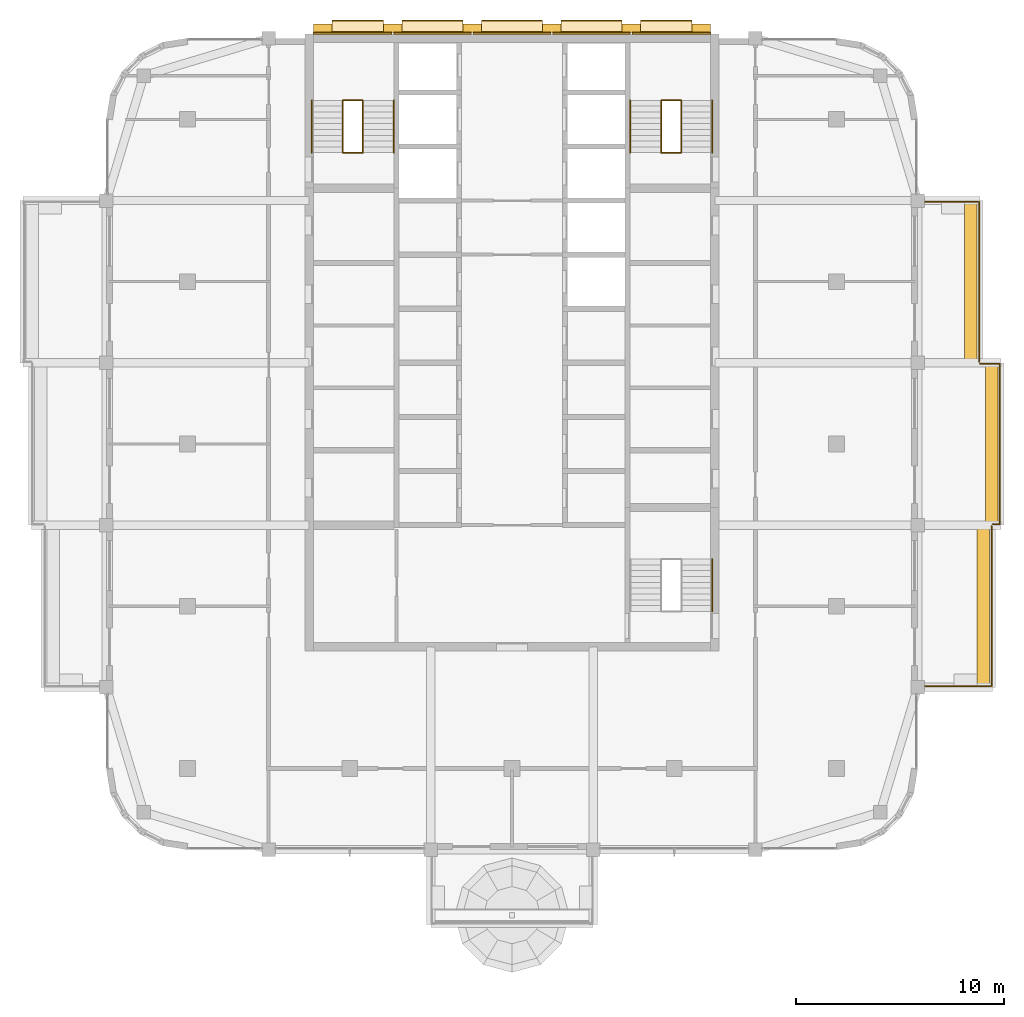
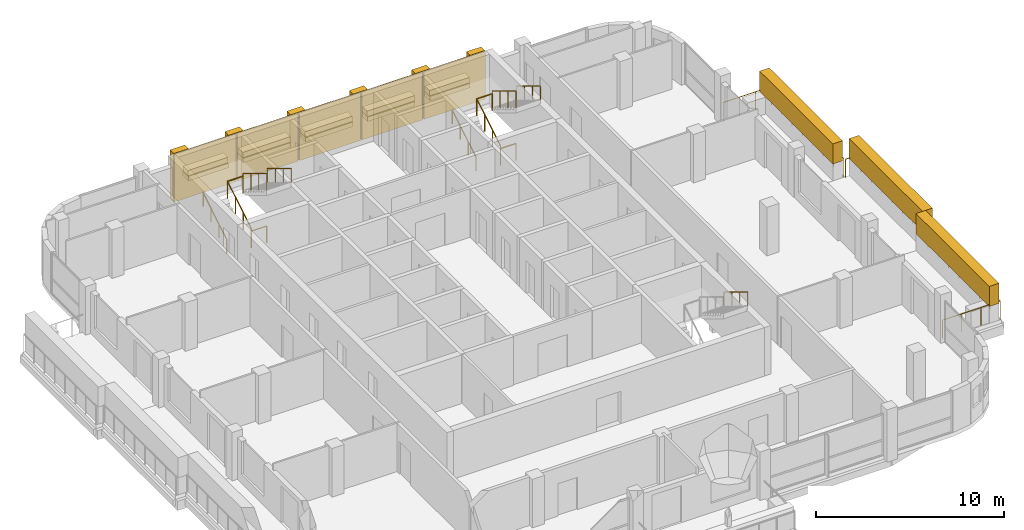
# One storey, part 18 of 19: 24 coverings, 16 railings, 3 elements without a shape of their own.
"""IFC4 building model written with IfcOpenShell, lengths in metres."""

from ifc_helpers import new_model, si_unit, direction, frame, origin, origin_2d, place, context, subcontext, project, spatial, rectangle, circle, extrude, material, layer, layer_set, type_object, element, aggregate, save


model = new_model("IFC4")

# Units and contexts
model_context = context("Model", 3, precision=1e-05, world=origin(), true_north=direction((0.0, 1.0)))
body_context = subcontext(model_context, "Body", "Model", "MODEL_VIEW")
ifc_project = project(units=[si_unit("LENGTHUNIT", "METRE"), si_unit("AREAUNIT", "SQUARE_METRE"), si_unit("VOLUMEUNIT", "CUBIC_METRE"), si_unit("PLANEANGLEUNIT", "RADIAN"), si_unit("MASSUNIT", "GRAM", prefix="KILO")], contexts=[model_context])

# Site, building, storey
site_placement = place(None, origin())
site = spatial("IfcSite", under=ifc_project, at=site_placement, CompositionType="ELEMENT")
building_placement = place(site_placement, origin())
building = spatial("IfcBuilding", under=site, at=building_placement, Name="Ludao Terraces", CompositionType="ELEMENT")
storey_placement = place(building_placement, frame((0.0, 0.0, 256.199951171875)))
storey = spatial("IfcBuildingStorey", under=building, at=storey_placement, Name="L70", CompositionType="ELEMENT", Elevation=256.199951171875)

# Railings
ifc_material_1 = material(Name="Stainless steel 304", Category="steel")
railing_type_1 = type_object("IfcRailingType", Name="ENV Balcony glass guard 1200", PredefinedType="GUARDRAIL", material=ifc_material_1)
railing_1_placement = place(storey_placement, frame((104.5, 53.35009765625, 0.0)))
element("IfcRailing", 1, at=railing_1_placement, inside=storey, type_object=railing_type_1, Name="Balcony guard L70 E1", PredefinedType="GUARDRAIL", context=body_context, shape_type="SweptSolid", body=[
    extrude(circle(Radius=0.02392578125, at=origin_2d()), frame((0.0, 0.0, 1.17578125), z_axis=(1.0, 0.0, 0.0), x_axis=(0.0, 1.0, 0.0)), (0.0, 0.0, 1.0), 3.550048828125),
    extrude(circle(Radius=0.02392578125, at=origin_2d()), frame((3.550048828125, 0.0, 1.17578125), z_axis=(0.0, 1.0, 0.0), x_axis=(-1.0, 0.0, 0.0)), (0.0, 0.0, 1.0), 7.699951171875),
    extrude(circle(Radius=0.02099609375, at=origin_2d()), origin(), (0.0, 0.0, 1.0), 1.15185546875),
    extrude(circle(Radius=0.02099609375, at=origin_2d()), frame((1.183349609375, 0.0, 0.0)), (0.0, 0.0, 1.0), 1.15185546875),
    extrude(circle(Radius=0.02099609375, at=origin_2d()), frame((2.36669921875, 0.0, 0.0)), (0.0, 0.0, 1.0), 1.15185546875),
    extrude(circle(Radius=0.02099609375, at=origin_2d()), frame((3.550048828125, 0.0, 0.0)), (0.0, 0.0, 1.0), 1.15185546875),
    extrude(circle(Radius=0.02099609375, at=origin_2d()), frame((3.550048828125, 1.10009765625, 0.0)), (0.0, 0.0, 1.0), 1.15185546875),
    extrude(circle(Radius=0.02099609375, at=origin_2d()), frame((3.550048828125, 2.199951171875, 0.0)), (0.0, 0.0, 1.0), 1.15185546875),
    extrude(circle(Radius=0.02099609375, at=origin_2d()), frame((3.550048828125, 3.300048828125, 0.0)), (0.0, 0.0, 1.0), 1.15185546875),
    extrude(circle(Radius=0.02099609375, at=origin_2d()), frame((3.550048828125, 4.39990234375, 0.0)), (0.0, 0.0, 1.0), 1.15185546875),
    extrude(circle(Radius=0.02099609375, at=origin_2d()), frame((3.550048828125, 5.5, 0.0)), (0.0, 0.0, 1.0), 1.15185546875),
    extrude(circle(Radius=0.02099609375, at=origin_2d()), frame((3.550048828125, 6.599853515625, 0.0)), (0.0, 0.0, 1.0), 1.15185546875),
    extrude(circle(Radius=0.02099609375, at=origin_2d()), frame((3.550048828125, 7.699951171875, 0.0)), (0.0, 0.0, 1.0), 1.15185546875),
])
railing_2_placement = place(storey_placement, frame((108.10009765625, 61.14990234375, 0.0)))
element("IfcRailing", 2, at=railing_2_placement, inside=storey, type_object=railing_type_1, Name="Balcony guard L70 E2", PredefinedType="GUARDRAIL", context=body_context, shape_type="SweptSolid", body=[
    extrude(circle(Radius=0.02392578125, at=origin_2d()), frame((0.0, 0.0, 1.17578125), z_axis=(1.0, 0.0, 0.0), x_axis=(0.0, 1.0, 0.0)), (0.0, 0.0, 1.0), 0.349853515625),
    extrude(circle(Radius=0.02392578125, at=origin_2d()), frame((0.349853515625, 0.0, 1.17578125), z_axis=(0.0, 1.0, 0.0), x_axis=(-1.0, 0.0, 0.0)), (0.0, 0.0, 1.0), 7.7001953125),
    extrude(circle(Radius=0.02392578125, at=origin_2d()), frame((0.349853515625, 7.7001953125, 1.17578125), z_axis=(-1.0, 0.0, 0.0), x_axis=(0.0, -1.0, 0.0)), (0.0, 0.0, 1.0), 0.949951171875),
    extrude(circle(Radius=0.02099609375, at=origin_2d()), origin(), (0.0, 0.0, 1.0), 1.15185546875),
    extrude(circle(Radius=0.02099609375, at=origin_2d()), frame((0.349853515625, 0.0, 0.0)), (0.0, 0.0, 1.0), 1.15185546875),
    extrude(circle(Radius=0.02099609375, at=origin_2d()), frame((0.349853515625, 1.10009765625, 0.0)), (0.0, 0.0, 1.0), 1.15185546875),
    extrude(circle(Radius=0.02099609375, at=origin_2d()), frame((0.349853515625, 2.199951171875, 0.0)), (0.0, 0.0, 1.0), 1.15185546875),
    extrude(circle(Radius=0.02099609375, at=origin_2d()), frame((0.349853515625, 3.300048828125, 0.0)), (0.0, 0.0, 1.0), 1.15185546875),
    extrude(circle(Radius=0.02099609375, at=origin_2d()), frame((0.349853515625, 4.400146484375, 0.0)), (0.0, 0.0, 1.0), 1.15185546875),
    extrude(circle(Radius=0.02099609375, at=origin_2d()), frame((0.349853515625, 5.500244140625, 0.0)), (0.0, 0.0, 1.0), 1.15185546875),
    extrude(circle(Radius=0.02099609375, at=origin_2d()), frame((0.349853515625, 6.60009765625, 0.0)), (0.0, 0.0, 1.0), 1.15185546875),
    extrude(circle(Radius=0.02099609375, at=origin_2d()), frame((0.349853515625, 7.7001953125, 0.0)), (0.0, 0.0, 1.0), 1.15185546875),
    extrude(circle(Radius=0.02099609375, at=origin_2d()), frame((-0.60009765625, 7.7001953125, 0.0)), (0.0, 0.0, 1.0), 1.15185546875),
])
railing_3_placement = place(storey_placement, frame((107.449951171875, 68.949951171875, 0.0)))
element("IfcRailing", 3, at=railing_3_placement, inside=storey, type_object=railing_type_1, Name="Balcony guard L70 E3", PredefinedType="GUARDRAIL", context=body_context, shape_type="SweptSolid", body=[
    extrude(circle(Radius=0.02392578125, at=origin_2d()), frame((0.0, 0.0, 1.17578125), z_axis=(0.0, 1.0, 0.0), x_axis=(-1.0, 0.0, 0.0)), (0.0, 0.0, 1.0), 7.699951171875),
    extrude(circle(Radius=0.02392578125, at=origin_2d()), frame((0.0, 7.699951171875, 1.17578125), z_axis=(-1.0, 0.0, 0.0), x_axis=(0.0, -1.0, 0.0)), (0.0, 0.0, 1.0), 2.949951171875),
    extrude(circle(Radius=0.02099609375, at=origin_2d()), origin(), (0.0, 0.0, 1.0), 1.15185546875),
    extrude(circle(Radius=0.02099609375, at=origin_2d()), frame((0.0, 1.10009765625, 0.0)), (0.0, 0.0, 1.0), 1.15185546875),
    extrude(circle(Radius=0.02099609375, at=origin_2d()), frame((0.0, 2.199951171875, 0.0)), (0.0, 0.0, 1.0), 1.15185546875),
    extrude(circle(Radius=0.02099609375, at=origin_2d()), frame((0.0, 3.300048828125, 0.0)), (0.0, 0.0, 1.0), 1.15185546875),
    extrude(circle(Radius=0.02099609375, at=origin_2d()), frame((0.0, 4.39990234375, 0.0)), (0.0, 0.0, 1.0), 1.15185546875),
    extrude(circle(Radius=0.02099609375, at=origin_2d()), frame((0.0, 5.5, 0.0)), (0.0, 0.0, 1.0), 1.15185546875),
    extrude(circle(Radius=0.02099609375, at=origin_2d()), frame((0.0, 6.599853515625, 0.0)), (0.0, 0.0, 1.0), 1.15185546875),
    extrude(circle(Radius=0.02099609375, at=origin_2d()), frame((0.0, 7.699951171875, 0.0)), (0.0, 0.0, 1.0), 1.15185546875),
    extrude(circle(Radius=0.02099609375, at=origin_2d()), frame((-0.9833984375, 7.699951171875, 0.0)), (0.0, 0.0, 1.0), 1.15185546875),
    extrude(circle(Radius=0.02099609375, at=origin_2d()), frame((-1.966552734375, 7.699951171875, 0.0)), (0.0, 0.0, 1.0), 1.15185546875),
    extrude(circle(Radius=0.02099609375, at=origin_2d()), frame((-2.949951171875, 7.699951171875, 0.0)), (0.0, 0.0, 1.0), 1.15185546875),
])

# Coverings
ifc_material_2 = material(Name="Granite cladding", Category="masonry")
ifc_layer_1 = layer(ifc_material_2, 0.39990234375)
ifc_layer_set_1 = layer_set([ifc_layer_1], Name="ENV Core pilaster stone 400")
covering_type_1 = type_object("IfcCoveringType", Name="ENV Core pilaster stone 400", PredefinedType="CLADDING", material=ifc_layer_set_1)
for number, where, z_axis, x_axis, name in (
    (4, (75.89990234375, 84.97998046875, 0.0), (0.0, 0.0, 1.0), (1.0, 0.0, 0.0), "CC-L70-PIL1"),
    (5, (79.27001953125, 84.97998046875, 0.0), (0.0, 0.0, 1.0), (1.0, 0.0, 0.0), "CC-L70-PIL2"),
    (6, (83.090087890625, 84.97998046875, 0.0), (0.0, 0.0, 1.0), (1.0, 0.0, 0.0), "CC-L70-PIL3"),
    (7, (86.909912109375, 84.97998046875, 0.0), (0.0, 0.0, 1.0), (1.0, 0.0, 0.0), "CC-L70-PIL4"),
    (8, (90.72998046875, 84.97998046875, 0.0), (0.0, 0.0, 1.0), (1.0, 0.0, 0.0), "CC-L70-PIL5"),
    (9, (94.10009765625, 84.97998046875, 0.0), (0.0, 0.0, 1.0), (1.0, 0.0, 0.0), "CC-L70-PIL6"),
):
    element("IfcCovering", number, at=place(storey_placement, frame(where, z_axis=z_axis, x_axis=x_axis)), inside=storey, type_object=covering_type_1, Name=name, PredefinedType="CLADDING", context=body_context, shape_type="SweptSolid", body=[
        extrude(rectangle(XDim=0.89990234375, YDim=0.39990234375, at=origin_2d()), origin(), (0.0, 0.0, 1.0), 3.10009765625),
    ])
ifc_layer_2 = layer(ifc_material_2, 0.60009765625)
ifc_layer_set_2 = layer_set([ifc_layer_2], Name="ENV Core planting shelf stone 600")
covering_type_2 = type_object("IfcCoveringType", Name="ENV Core planting shelf stone 600", PredefinedType="CLADDING", material=ifc_layer_set_2)
covering_1_placement = place(storey_placement, frame((77.5849609375, 85.080078125, 1.0), z_axis=(0.0, 0.0, 1.0), x_axis=(1.0, 0.0, 0.0)))
element("IfcCovering", 10, at=covering_1_placement, inside=storey, type_object=covering_type_2, Name="CC-L70-SHELF1", PredefinedType="CLADDING", context=body_context, shape_type="SweptSolid", body=[
    extrude(rectangle(XDim=2.469970703125, YDim=0.60009765625, at=origin_2d()), origin(), (0.0, 0.0, 1.0), 0.300048828125),
])
for number, where, z_axis, x_axis, name in (
    (11, (81.179931640625, 85.080078125, 1.0), (0.0, 0.0, 1.0), (1.0, 0.0, 0.0), "CC-L70-SHELF2"),
    (12, (85.0, 85.080078125, 1.0), (0.0, 0.0, 1.0), (1.0, 0.0, 0.0), "CC-L70-SHELF3"),
    (13, (88.820068359375, 85.080078125, 1.0), (0.0, 0.0, 1.0), (1.0, 0.0, 0.0), "CC-L70-SHELF4"),
):
    element("IfcCovering", number, at=place(storey_placement, frame(where, z_axis=z_axis, x_axis=x_axis)), inside=storey, type_object=covering_type_2, Name=name, PredefinedType="CLADDING", context=body_context, shape_type="SweptSolid", body=[
        extrude(rectangle(XDim=2.919921875, YDim=0.60009765625, at=origin_2d()), origin(), (0.0, 0.0, 1.0), 0.300048828125),
    ])
covering_2_placement = place(storey_placement, frame((92.4150390625, 85.080078125, 1.0), z_axis=(0.0, 0.0, 1.0), x_axis=(1.0, 0.0, 0.0)))
element("IfcCovering", 14, at=covering_2_placement, inside=storey, type_object=covering_type_2, Name="CC-L70-SHELF5", PredefinedType="CLADDING", context=body_context, shape_type="SweptSolid", body=[
    extrude(rectangle(XDim=2.469970703125, YDim=0.60009765625, at=origin_2d()), origin(), (0.0, 0.0, 1.0), 0.300048828125),
])
ifc_layer_3 = layer(ifc_material_2, 0.080078125)
ifc_layer_set_3 = layer_set([ifc_layer_3], Name="ENV Core stone cladding panel 80")
covering_type_3 = type_object("IfcCoveringType", Name="ENV Core stone cladding panel 80", PredefinedType="CLADDING", material=ifc_layer_set_3)
covering_3_placement = place(storey_placement, frame((77.3349609375, 84.739990234375, 0.0), z_axis=(0.0, 0.0, 1.0), x_axis=(1.0, 0.0, 0.0)))
element("IfcCovering", 15, at=covering_3_placement, inside=storey, type_object=covering_type_3, Name="CC-L70-CORE1", PredefinedType="CLADDING", context=body_context, shape_type="SweptSolid", body=[
    extrude(rectangle(XDim=3.77001953125, YDim=0.080078125, at=origin_2d()), origin(), (0.0, 0.0, 1.0), 3.10009765625),
])
for number, where, z_axis, x_axis, name in (
    (16, (81.179931640625, 84.739990234375, 0.0), (0.0, 0.0, 1.0), (1.0, 0.0, 0.0), "CC-L70-CORE2"),
    (17, (85.0, 84.739990234375, 0.0), (0.0, 0.0, 1.0), (1.0, 0.0, 0.0), "CC-L70-CORE3"),
    (18, (88.820068359375, 84.739990234375, 0.0), (0.0, 0.0, 1.0), (1.0, 0.0, 0.0), "CC-L70-CORE4"),
):
    element("IfcCovering", number, at=place(storey_placement, frame(where, z_axis=z_axis, x_axis=x_axis)), inside=storey, type_object=covering_type_3, Name=name, PredefinedType="CLADDING", context=body_context, shape_type="SweptSolid", body=[
        extrude(rectangle(XDim=3.719970703125, YDim=0.080078125, at=origin_2d()), origin(), (0.0, 0.0, 1.0), 3.10009765625),
    ])
covering_4_placement = place(storey_placement, frame((92.6650390625, 84.739990234375, 0.0), z_axis=(0.0, 0.0, 1.0), x_axis=(1.0, 0.0, 0.0)))
element("IfcCovering", 19, at=covering_4_placement, inside=storey, type_object=covering_type_3, Name="CC-L70-CORE5", PredefinedType="CLADDING", context=body_context, shape_type="SweptSolid", body=[
    extrude(rectangle(XDim=3.77001953125, YDim=0.080078125, at=origin_2d()), origin(), (0.0, 0.0, 1.0), 3.10009765625),
])
ifc_material_3 = material(Name="Planting")
ifc_layer_4 = layer(ifc_material_3, 0.60009765625)
ifc_layer_set_4 = layer_set([ifc_layer_4], Name="ENV Planting hedge 600x1300")
covering_type_4 = type_object("IfcCoveringType", Name="ENV Planting hedge 600x1300", PredefinedType="USERDEFINED", material=ifc_layer_set_4)
for number, where, z_axis, x_axis, name in (
    (20, (107.64990234375, 57.199951171875, 1.10009765625), (0.0, 0.0, 1.0), (1.0, 0.0, 0.0), "Planting hedge L70-E1"),
    (21, (108.050048828125, 65.0, 1.10009765625), (0.0, 0.0, 1.0), (1.0, 0.0, 0.0), "Planting hedge L70-E2"),
    (22, (107.050048828125, 72.800048828125, 1.10009765625), (0.0, 0.0, 1.0), (1.0, 0.0, 0.0), "Planting hedge L70-E3"),
):
    element("IfcCovering", number, at=place(storey_placement, frame(where, z_axis=z_axis, x_axis=x_axis)), inside=storey, type_object=covering_type_4, Name=name, ObjectType="PLANTING", PredefinedType="USERDEFINED", context=body_context, shape_type="SweptSolid", body=[
        extrude(rectangle(XDim=0.60009765625, YDim=7.800048828125, at=origin_2d()), origin(), (0.0, 0.0, 1.0), 1.300048828125),
    ])
ifc_layer_5 = layer(ifc_material_3, 0.5)
ifc_layer_set_5 = layer_set([ifc_layer_5], Name="ENV Shelf planting bed 350")
covering_type_5 = type_object("IfcCoveringType", Name="ENV Shelf planting bed 350", PredefinedType="USERDEFINED", material=ifc_layer_set_5)
covering_5_placement = place(storey_placement, frame((77.5849609375, 85.080078125, 1.300048828125), z_axis=(0.0, 0.0, 1.0), x_axis=(1.0, 0.0, 0.0)))
element("IfcCovering", 23, at=covering_5_placement, inside=storey, type_object=covering_type_5, Name="Shelf planting bed L70 1", ObjectType="PLANTING", PredefinedType="USERDEFINED", context=body_context, shape_type="SweptSolid", body=[
    extrude(rectangle(XDim=2.469970703125, YDim=0.5, at=origin_2d()), origin(), (0.0, 0.0, 1.0), 0.35009765625),
])
for number, where, z_axis, x_axis, name in (
    (24, (81.179931640625, 85.080078125, 1.300048828125), (0.0, 0.0, 1.0), (1.0, 0.0, 0.0), "Shelf planting bed L70 2"),
    (25, (85.0, 85.080078125, 1.300048828125), (0.0, 0.0, 1.0), (1.0, 0.0, 0.0), "Shelf planting bed L70 3"),
    (26, (88.820068359375, 85.080078125, 1.300048828125), (0.0, 0.0, 1.0), (1.0, 0.0, 0.0), "Shelf planting bed L70 4"),
):
    element("IfcCovering", number, at=place(storey_placement, frame(where, z_axis=z_axis, x_axis=x_axis)), inside=storey, type_object=covering_type_5, Name=name, ObjectType="PLANTING", PredefinedType="USERDEFINED", context=body_context, shape_type="SweptSolid", body=[
        extrude(rectangle(XDim=2.919921875, YDim=0.5, at=origin_2d()), origin(), (0.0, 0.0, 1.0), 0.35009765625),
    ])
covering_6_placement = place(storey_placement, frame((92.4150390625, 85.080078125, 1.300048828125), z_axis=(0.0, 0.0, 1.0), x_axis=(1.0, 0.0, 0.0)))
element("IfcCovering", 27, at=covering_6_placement, inside=storey, type_object=covering_type_5, Name="Shelf planting bed L70 5", ObjectType="PLANTING", PredefinedType="USERDEFINED", context=body_context, shape_type="SweptSolid", body=[
    extrude(rectangle(XDim=2.469970703125, YDim=0.5, at=origin_2d()), origin(), (0.0, 0.0, 1.0), 0.35009765625),
])

# Stair, railings
ifc_material_4 = material(Name="Concrete C40", Category="concrete")
stair_type = type_object("IfcStairType", Name="INT Stair", PredefinedType="HALF_TURN_STAIR", material=ifc_material_4)
stair_1_placement = place(storey_placement, origin())
stair_1 = element("IfcStair", 28, at=stair_1_placement, inside=storey, type_object=stair_type, Name="EXIT STAIR 1", PredefinedType="HALF_TURN_STAIR")
railing_type_2 = type_object("IfcRailingType", Name="INT Stair guard 1100", PredefinedType="GUARDRAIL", material=ifc_material_1)
railing_4_placement = place(storey_placement, frame((76.875, 79.0, 0.170166015625)))
railing_4 = element("IfcRailing", 29, at=railing_4_placement, type_object=railing_type_2, Name="ST-L70-S1-R1G", PredefinedType="GUARDRAIL", context=body_context, shape_type="SweptSolid", body=[
    extrude(circle(Radius=0.02392578125, at=origin_2d()), frame((0.0, 0.0, 1.076171875), z_axis=(0.0, 0.854821627497, 0.518921945155), x_axis=(-1.0, 0.0, 0.0)), (0.0, 0.0, 1.0), 2.947998046875),
    extrude(circle(Radius=0.02099609375, at=origin_2d()), origin(), (0.0, 0.0, 1.0), 1.052001953125),
    extrude(circle(Radius=0.02099609375, at=origin_2d()), frame((0.0, 0.840087890625, 0.510009765625)), (0.0, 0.0, 1.0), 1.052001953125),
    extrude(circle(Radius=0.02099609375, at=origin_2d()), frame((0.0, 1.679931640625, 1.019775390625)), (0.0, 0.0, 1.0), 1.052001953125),
    extrude(circle(Radius=0.02099609375, at=origin_2d()), frame((0.0, 2.52001953125, 1.52978515625)), (0.0, 0.0, 1.0), 1.052001953125),
])
railing_5_placement = place(storey_placement, frame((77.824951171875, 81.52001953125, 1.8701171875)))
railing_5 = element("IfcRailing", 30, at=railing_5_placement, type_object=railing_type_2, Name="ST-L70-S1-R2G", PredefinedType="GUARDRAIL", context=body_context, shape_type="SweptSolid", body=[
    extrude(circle(Radius=0.02392578125, at=origin_2d()), frame((0.0, 0.0, 1.076171875), z_axis=(0.0, -0.85478489116, 0.518982456201), x_axis=(1.0, 0.0, 0.0)), (0.0, 0.0, 1.0), 2.9482421875),
    extrude(circle(Radius=0.02099609375, at=origin_2d()), origin(), (0.0, 0.0, 1.0), 1.052001953125),
    extrude(circle(Radius=0.02099609375, at=origin_2d()), frame((0.0, -0.840087890625, 0.510009765625)), (0.0, 0.0, 1.0), 1.052001953125),
    extrude(circle(Radius=0.02099609375, at=origin_2d()), frame((0.0, -1.679931640625, 1.02001953125)), (0.0, 0.0, 1.0), 1.052001953125),
    extrude(circle(Radius=0.02099609375, at=origin_2d()), frame((0.0, -2.52001953125, 1.530029296875)), (0.0, 0.0, 1.0), 1.052001953125),
])
railing_6_placement = place(storey_placement, frame((76.875, 81.52001953125, 1.699951171875)))
railing_6 = element("IfcRailing", 31, at=railing_6_placement, type_object=railing_type_2, Name="ST-L70-S1-E1G", PredefinedType="GUARDRAIL", context=body_context, shape_type="SweptSolid", body=[
    extrude(circle(Radius=0.02392578125, at=origin_2d()), frame((0.0, 0.0, 1.076171875), z_axis=(1.0, 0.0, 0.0), x_axis=(0.0, 1.0, 0.0)), (0.0, 0.0, 1.0), 0.949951171875),
    extrude(circle(Radius=0.02099609375, at=origin_2d()), origin(), (0.0, 0.0, 1.0), 1.052001953125),
    extrude(circle(Radius=0.02099609375, at=origin_2d()), frame((0.949951171875, 0.0, 0.0)), (0.0, 0.0, 1.0), 1.052001953125),
])
railing_7_placement = place(storey_placement, frame((76.875, 79.0, 0.0)))
railing_7 = element("IfcRailing", 32, at=railing_7_placement, type_object=railing_type_2, Name="ST-L70-S1-E2G", PredefinedType="GUARDRAIL", context=body_context, shape_type="SweptSolid", body=[
    extrude(circle(Radius=0.02392578125, at=origin_2d()), frame((0.0, 0.0, 1.076171875), z_axis=(1.0, 0.0, 0.0), x_axis=(0.0, 1.0, 0.0)), (0.0, 0.0, 1.0), 0.949951171875),
    extrude(circle(Radius=0.02099609375, at=origin_2d()), origin(), (0.0, 0.0, 1.0), 1.052001953125),
    extrude(circle(Radius=0.02099609375, at=origin_2d()), frame((0.949951171875, 0.0, 0.0)), (0.0, 0.0, 1.0), 1.052001953125),
])

stair_2_placement = place(storey_placement, origin())
stair_2 = element("IfcStair", 33, at=stair_2_placement, inside=storey, type_object=stair_type, Name="EXIT STAIR 2", PredefinedType="HALF_TURN_STAIR")
railing_8_placement = place(storey_placement, frame((92.175048828125, 79.0, 0.170166015625)))
railing_8 = element("IfcRailing", 34, at=railing_8_placement, type_object=railing_type_2, Name="ST-L70-S2-R1G", PredefinedType="GUARDRAIL", context=body_context, shape_type="SweptSolid", body=[
    extrude(circle(Radius=0.02392578125, at=origin_2d()), frame((0.0, 0.0, 1.076171875), z_axis=(0.0, 0.854821627497, 0.518921945155), x_axis=(-1.0, 0.0, 0.0)), (0.0, 0.0, 1.0), 2.947998046875),
    extrude(circle(Radius=0.02099609375, at=origin_2d()), origin(), (0.0, 0.0, 1.0), 1.052001953125),
    extrude(circle(Radius=0.02099609375, at=origin_2d()), frame((0.0, 0.840087890625, 0.510009765625)), (0.0, 0.0, 1.0), 1.052001953125),
    extrude(circle(Radius=0.02099609375, at=origin_2d()), frame((0.0, 1.679931640625, 1.019775390625)), (0.0, 0.0, 1.0), 1.052001953125),
    extrude(circle(Radius=0.02099609375, at=origin_2d()), frame((0.0, 2.52001953125, 1.52978515625)), (0.0, 0.0, 1.0), 1.052001953125),
])
railing_9_placement = place(storey_placement, frame((93.125, 81.52001953125, 1.8701171875)))
railing_9 = element("IfcRailing", 35, at=railing_9_placement, type_object=railing_type_2, Name="ST-L70-S2-R2G", PredefinedType="GUARDRAIL", context=body_context, shape_type="SweptSolid", body=[
    extrude(circle(Radius=0.02392578125, at=origin_2d()), frame((0.0, 0.0, 1.076171875), z_axis=(0.0, -0.85478489116, 0.518982456201), x_axis=(1.0, 0.0, 0.0)), (0.0, 0.0, 1.0), 2.9482421875),
    extrude(circle(Radius=0.02099609375, at=origin_2d()), origin(), (0.0, 0.0, 1.0), 1.052001953125),
    extrude(circle(Radius=0.02099609375, at=origin_2d()), frame((0.0, -0.840087890625, 0.510009765625)), (0.0, 0.0, 1.0), 1.052001953125),
    extrude(circle(Radius=0.02099609375, at=origin_2d()), frame((0.0, -1.679931640625, 1.02001953125)), (0.0, 0.0, 1.0), 1.052001953125),
    extrude(circle(Radius=0.02099609375, at=origin_2d()), frame((0.0, -2.52001953125, 1.530029296875)), (0.0, 0.0, 1.0), 1.052001953125),
])
railing_10_placement = place(storey_placement, frame((92.175048828125, 81.52001953125, 1.699951171875)))
railing_10 = element("IfcRailing", 36, at=railing_10_placement, type_object=railing_type_2, Name="ST-L70-S2-E1G", PredefinedType="GUARDRAIL", context=body_context, shape_type="SweptSolid", body=[
    extrude(circle(Radius=0.02392578125, at=origin_2d()), frame((0.0, 0.0, 1.076171875), z_axis=(1.0, 0.0, 0.0), x_axis=(0.0, 1.0, 0.0)), (0.0, 0.0, 1.0), 0.949951171875),
    extrude(circle(Radius=0.02099609375, at=origin_2d()), origin(), (0.0, 0.0, 1.0), 1.052001953125),
    extrude(circle(Radius=0.02099609375, at=origin_2d()), frame((0.949951171875, 0.0, 0.0)), (0.0, 0.0, 1.0), 1.052001953125),
])
railing_11_placement = place(storey_placement, frame((92.175048828125, 79.0, 0.0)))
railing_11 = element("IfcRailing", 37, at=railing_11_placement, type_object=railing_type_2, Name="ST-L70-S2-E2G", PredefinedType="GUARDRAIL", context=body_context, shape_type="SweptSolid", body=[
    extrude(circle(Radius=0.02392578125, at=origin_2d()), frame((0.0, 0.0, 1.076171875), z_axis=(1.0, 0.0, 0.0), x_axis=(0.0, 1.0, 0.0)), (0.0, 0.0, 1.0), 0.949951171875),
    extrude(circle(Radius=0.02099609375, at=origin_2d()), origin(), (0.0, 0.0, 1.0), 1.052001953125),
    extrude(circle(Radius=0.02099609375, at=origin_2d()), frame((0.949951171875, 0.0, 0.0)), (0.0, 0.0, 1.0), 1.052001953125),
])

# Railing
railing_type_3 = type_object("IfcRailingType", Name="INT Stair handrail 900", PredefinedType="HANDRAIL", material=ifc_material_1)
railing_12_placement = place(storey_placement, frame((75.375, 79.0, 0.170166015625)))
railing_12 = element("IfcRailing", 38, at=railing_12_placement, type_object=railing_type_3, Name="ST-L70-S1-R1H", PredefinedType="HANDRAIL", context=body_context, shape_type="SweptSolid", body=[
    extrude(circle(Radius=0.02392578125, at=origin_2d()), frame((0.0, 0.0, 0.8759765625), z_axis=(0.0, 0.854821627497, 0.518921945155), x_axis=(-1.0, 0.0, 0.0)), (0.0, 0.0, 1.0), 2.947998046875),
    extrude(circle(Radius=0.02099609375, at=origin_2d()), origin(), (0.0, 0.0, 1.0), 0.851806640625),
    extrude(circle(Radius=0.02099609375, at=origin_2d()), frame((0.0, 0.840087890625, 0.510009765625)), (0.0, 0.0, 1.0), 0.851806640625),
    extrude(circle(Radius=0.02099609375, at=origin_2d()), frame((0.0, 1.679931640625, 1.019775390625)), (0.0, 0.0, 1.0), 0.851806640625),
    extrude(circle(Radius=0.02099609375, at=origin_2d()), frame((0.0, 2.52001953125, 1.52978515625)), (0.0, 0.0, 1.0), 0.851806640625),
])

railing_13_placement = place(storey_placement, frame((79.324951171875, 81.52001953125, 1.8701171875)))
railing_13 = element("IfcRailing", 39, at=railing_13_placement, type_object=railing_type_3, Name="ST-L70-S1-R2H", PredefinedType="HANDRAIL", context=body_context, shape_type="SweptSolid", body=[
    extrude(circle(Radius=0.02392578125, at=origin_2d()), frame((0.0, 0.0, 0.8759765625), z_axis=(0.0, -0.85478489116, 0.518982456201), x_axis=(1.0, 0.0, 0.0)), (0.0, 0.0, 1.0), 2.9482421875),
    extrude(circle(Radius=0.02099609375, at=origin_2d()), origin(), (0.0, 0.0, 1.0), 0.851806640625),
    extrude(circle(Radius=0.02099609375, at=origin_2d()), frame((0.0, -0.840087890625, 0.510009765625)), (0.0, 0.0, 1.0), 0.851806640625),
    extrude(circle(Radius=0.02099609375, at=origin_2d()), frame((0.0, -1.679931640625, 1.02001953125)), (0.0, 0.0, 1.0), 0.851806640625),
    extrude(circle(Radius=0.02099609375, at=origin_2d()), frame((0.0, -2.52001953125, 1.530029296875)), (0.0, 0.0, 1.0), 0.851806640625),
])

aggregate(stair_1, [railing_4, railing_12, railing_5, railing_13, railing_6, railing_7])

railing_14_placement = place(storey_placement, frame((90.675048828125, 79.0, 0.170166015625)))
railing_14 = element("IfcRailing", 40, at=railing_14_placement, type_object=railing_type_3, Name="ST-L70-S2-R1H", PredefinedType="HANDRAIL", context=body_context, shape_type="SweptSolid", body=[
    extrude(circle(Radius=0.02392578125, at=origin_2d()), frame((0.0, 0.0, 0.8759765625), z_axis=(0.0, 0.854821627497, 0.518921945155), x_axis=(-1.0, 0.0, 0.0)), (0.0, 0.0, 1.0), 2.947998046875),
    extrude(circle(Radius=0.02099609375, at=origin_2d()), origin(), (0.0, 0.0, 1.0), 0.851806640625),
    extrude(circle(Radius=0.02099609375, at=origin_2d()), frame((0.0, 0.840087890625, 0.510009765625)), (0.0, 0.0, 1.0), 0.851806640625),
    extrude(circle(Radius=0.02099609375, at=origin_2d()), frame((0.0, 1.679931640625, 1.019775390625)), (0.0, 0.0, 1.0), 0.851806640625),
    extrude(circle(Radius=0.02099609375, at=origin_2d()), frame((0.0, 2.52001953125, 1.52978515625)), (0.0, 0.0, 1.0), 0.851806640625),
])

railing_15_placement = place(storey_placement, frame((94.625, 81.52001953125, 1.8701171875)))
railing_15 = element("IfcRailing", 41, at=railing_15_placement, type_object=railing_type_3, Name="ST-L70-S2-R2H", PredefinedType="HANDRAIL", context=body_context, shape_type="SweptSolid", body=[
    extrude(circle(Radius=0.02392578125, at=origin_2d()), frame((0.0, 0.0, 0.8759765625), z_axis=(0.0, -0.85478489116, 0.518982456201), x_axis=(1.0, 0.0, 0.0)), (0.0, 0.0, 1.0), 2.9482421875),
    extrude(circle(Radius=0.02099609375, at=origin_2d()), origin(), (0.0, 0.0, 1.0), 0.851806640625),
    extrude(circle(Radius=0.02099609375, at=origin_2d()), frame((0.0, -0.840087890625, 0.510009765625)), (0.0, 0.0, 1.0), 0.851806640625),
    extrude(circle(Radius=0.02099609375, at=origin_2d()), frame((0.0, -1.679931640625, 1.02001953125)), (0.0, 0.0, 1.0), 0.851806640625),
    extrude(circle(Radius=0.02099609375, at=origin_2d()), frame((0.0, -2.52001953125, 1.530029296875)), (0.0, 0.0, 1.0), 0.851806640625),
])

aggregate(stair_2, [railing_8, railing_14, railing_9, railing_15, railing_10, railing_11])

# Stair, railing
stair_3_placement = place(storey_placement, origin())
stair_3 = element("IfcStair", 42, at=stair_3_placement, inside=storey, type_object=stair_type, Name="EXIT STAIR 3", PredefinedType="HALF_TURN_STAIR")
railing_16_placement = place(storey_placement, frame((94.625, 59.469970703125, 1.8701171875)))
railing_16 = element("IfcRailing", 43, at=railing_16_placement, type_object=railing_type_3, Name="ST-L70-S3-R2H", PredefinedType="HANDRAIL", context=body_context, shape_type="SweptSolid", body=[
    extrude(circle(Radius=0.02392578125, at=origin_2d()), frame((0.0, 0.0, 0.8759765625), z_axis=(0.0, -0.85478489116, 0.518982456201), x_axis=(1.0, 0.0, 0.0)), (0.0, 0.0, 1.0), 2.9482421875),
    extrude(circle(Radius=0.02099609375, at=origin_2d()), origin(), (0.0, 0.0, 1.0), 0.851806640625),
    extrude(circle(Radius=0.02099609375, at=origin_2d()), frame((0.0, -0.840087890625, 0.510009765625)), (0.0, 0.0, 1.0), 0.851806640625),
    extrude(circle(Radius=0.02099609375, at=origin_2d()), frame((0.0, -1.679931640625, 1.02001953125)), (0.0, 0.0, 1.0), 0.851806640625),
    extrude(circle(Radius=0.02099609375, at=origin_2d()), frame((0.0, -2.52001953125, 1.530029296875)), (0.0, 0.0, 1.0), 0.851806640625),
])
aggregate(stair_3, [railing_16])

save(model, "model.ifc")
